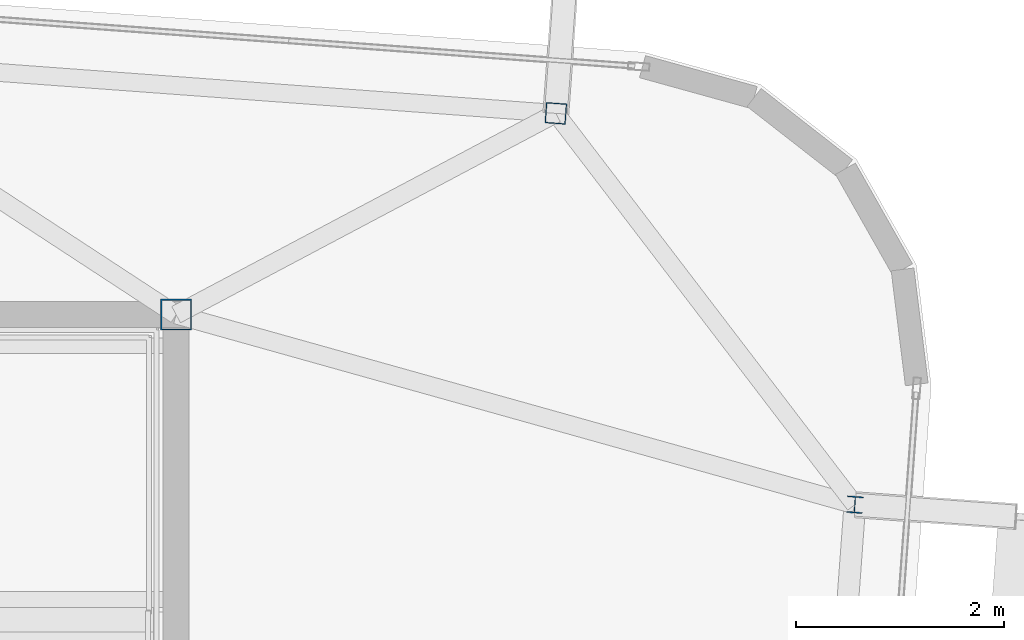
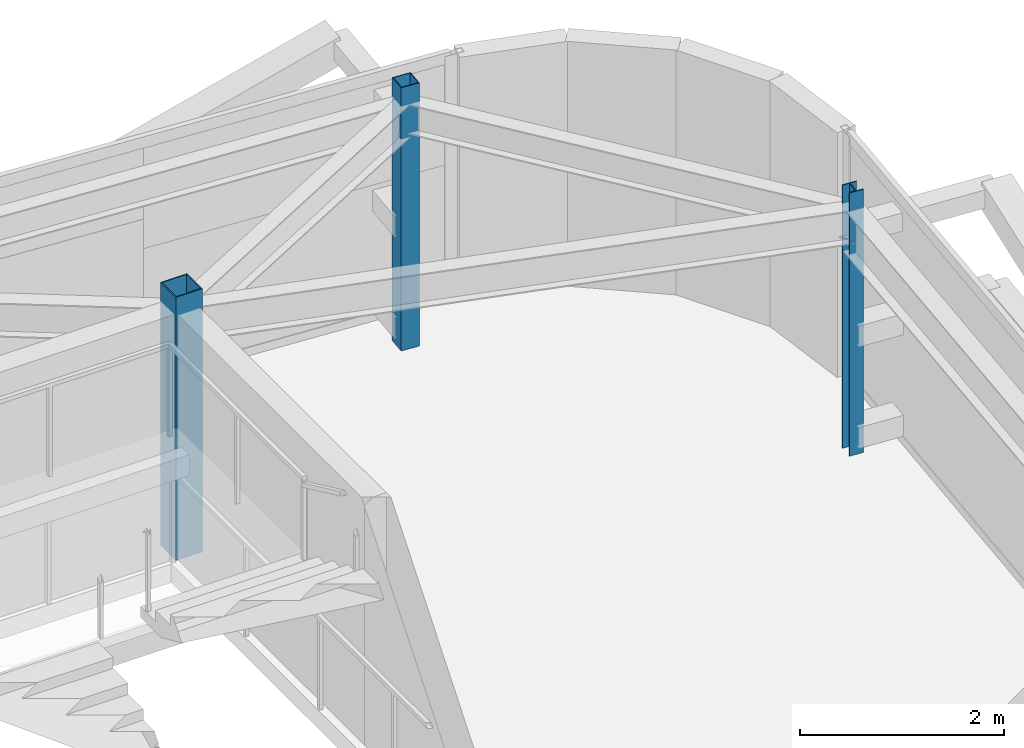
# One storey, part 6 of 36: 3 columns.
"""IFC4 building model written with IfcOpenShell, lengths in metres."""

from ifc_helpers import new_model, si_unit, direction, frame, origin, origin_2d, place, context, subcontext, project, spatial, hollow_rectangle, i_section, extrude, source, transform, mapped, material, material_profile, profile_set, type_object, element, save


model = new_model("IFC4")

# Units and contexts
model_context = context("Model", 3, precision=1e-05, world=origin(), true_north=direction((0.0, 1.0)))
body_context = subcontext(model_context, "Body", "Model", "MODEL_VIEW")
ifc_project = project(units=[si_unit("LENGTHUNIT", "METRE"), si_unit("AREAUNIT", "SQUARE_METRE"), si_unit("VOLUMEUNIT", "CUBIC_METRE"), si_unit("PLANEANGLEUNIT", "RADIAN"), si_unit("MASSUNIT", "GRAM", prefix="KILO")], contexts=[model_context])

# Site, building, storey
site_placement = place(None, origin())
site = spatial("IfcSite", under=ifc_project, at=site_placement, CompositionType="ELEMENT")
building_placement = place(site_placement, origin())
building = spatial("IfcBuilding", under=site, at=building_placement, Name="Taldren Reach Tower", CompositionType="ELEMENT")
storey_placement = place(building_placement, frame((0.0, 0.0, 227.14990234375)))
storey = spatial("IfcBuildingStorey", under=building, at=storey_placement, Name="L69", CompositionType="ELEMENT", Elevation=227.14990234375)

# Columns
ifc_material_1 = material(Name="Steel Gr 450 (C450L0)", Category="steel")
ifc_material_profile_1 = material_profile(ifc_material_1, hollow_rectangle(XDim=0.300048828125, YDim=0.300048828125, WallThickness=0.012451171875, at=origin_2d()), Name="300x300x12.5SHS")
ifc_profile_set_1 = profile_set([ifc_material_profile_1], Name="Steel Gr 450 (C450L0)")
column_type_1 = type_object("IfcColumnType", Name="COL-SHS300", PredefinedType="COLUMN", material=ifc_profile_set_1)
shared_shape_1 = source(origin(), body_context, "Body", "SweptSolid", [
    extrude(hollow_rectangle(XDim=0.300048828125, YDim=0.300048828125, WallThickness=0.012451171875, at=origin_2d()), origin(), (0.0, 0.0, 1.0), 3.150146484375),
])
column_1_placement = place(storey_placement, frame((51.0, 32.0, 0.0), z_axis=(0.0, 0.0, 1.0), x_axis=(1.0, 0.0, 0.0)))
element("IfcColumn", 1, at=column_1_placement, inside=storey, type_object=column_type_1, Name="Mega column MC-C8 L69", PredefinedType="COLUMN", context=body_context, shape_type="MappedRepresentation", body=[
    mapped(shared_shape_1, transform((0.0, 0.0, 0.0), scale=1.0)),
])
ifc_material_2 = material(Name="Steel Gr 350 (C350L0)", Category="steel")
ifc_material_profile_2 = material_profile(ifc_material_2, hollow_rectangle(XDim=0.199951171875, YDim=0.199951171875, WallThickness=0.009033203125, at=origin_2d()), Name="200x200x9.0SHS")
ifc_profile_set_2 = profile_set([ifc_material_profile_2], Name="Steel Gr 350 (C350L0)")
column_type_2 = type_object("IfcColumnType", Name="COL-SHS200", PredefinedType="COLUMN", material=ifc_profile_set_2)
shared_shape_2 = source(origin(), body_context, "Body", "SweptSolid", [
    extrude(hollow_rectangle(XDim=0.199951171875, YDim=0.199951171875, WallThickness=0.009033203125, at=origin_2d()), origin(), (0.0, 0.0, 1.0), 3.150146484375),
])
column_2_placement = place(storey_placement, frame((54.659423828125, 33.939697265625, 0.0), z_axis=(0.0, 0.0, 1.0), x_axis=(0.997314477224, -0.073238197128, 0.0)))
element("IfcColumn", 2, at=column_2_placement, inside=storey, type_object=column_type_2, Name="Block B5 perimeter column N6 L69", PredefinedType="COLUMN", context=body_context, shape_type="MappedRepresentation", body=[
    mapped(shared_shape_2, transform((0.0, 0.0, 0.0), scale=1.0)),
])
ifc_material_3 = material(Name="Steel Gr 350 (350PLUS)", Category="steel")
ifc_material_profile_3 = material_profile(ifc_material_3, i_section(OverallWidth=0.154052734375, OverallDepth=0.162109375, WebThickness=0.008056640625, FlangeThickness=0.011474609375, at=origin_2d()), Name="150UC37.2")
ifc_profile_set_3 = profile_set([ifc_material_profile_3], Name="Steel Gr 350 (350PLUS)")
column_type_3 = type_object("IfcColumnType", Name="COL-UC150", PredefinedType="COLUMN", material=ifc_profile_set_3)
shared_shape_3 = source(origin(), body_context, "Body", "SweptSolid", [
    extrude(i_section(OverallWidth=0.154052734375, OverallDepth=0.162109375, WebThickness=0.008056640625, FlangeThickness=0.011474609375, at=origin_2d()), origin(), (0.0, 0.0, 1.0), 3.150146484375),
])
column_3_placement = place(storey_placement, frame((57.540771484375, 30.168701171875, 0.0), z_axis=(0.0, 0.0, 1.0), x_axis=(0.997314477224, -0.073238197128, 0.0)))
element("IfcColumn", 3, at=column_3_placement, inside=storey, type_object=column_type_3, Name="Block B5 perimeter column E3 L69", PredefinedType="COLUMN", context=body_context, shape_type="MappedRepresentation", body=[
    mapped(shared_shape_3, transform((0.0, 0.0, 0.0), scale=1.0)),
])

save(model, "model.ifc")
